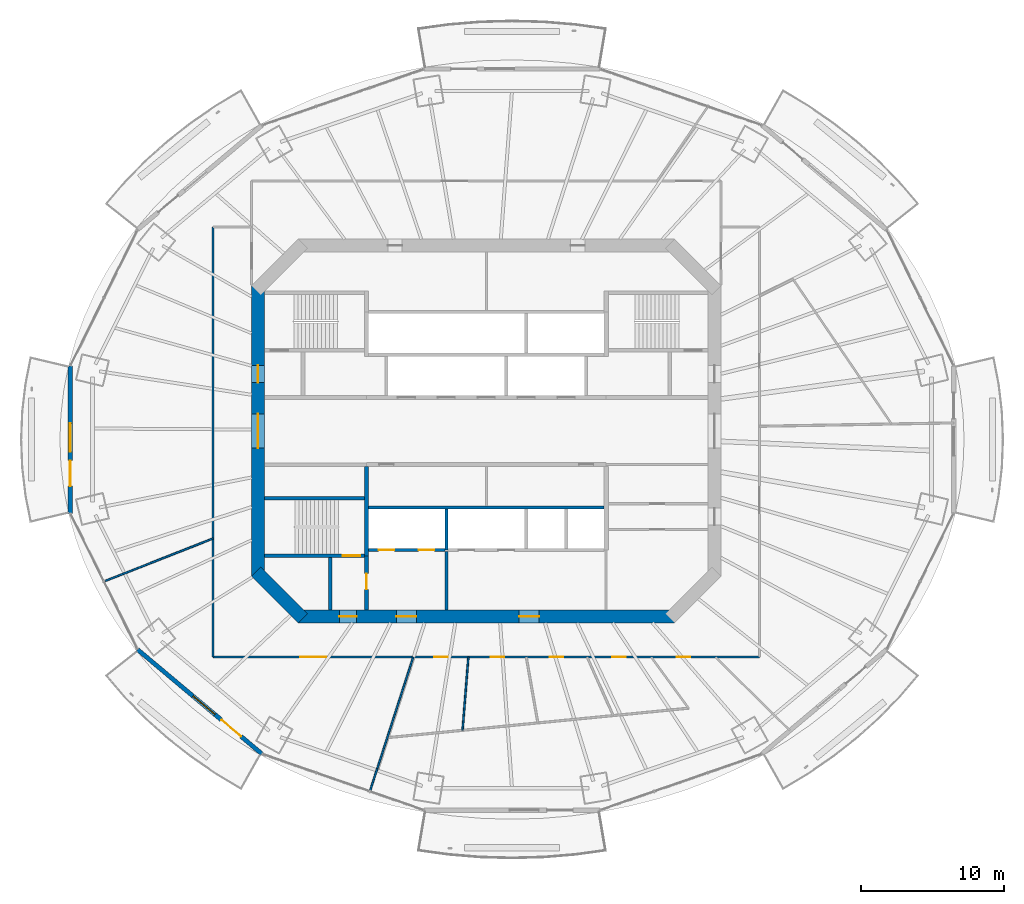
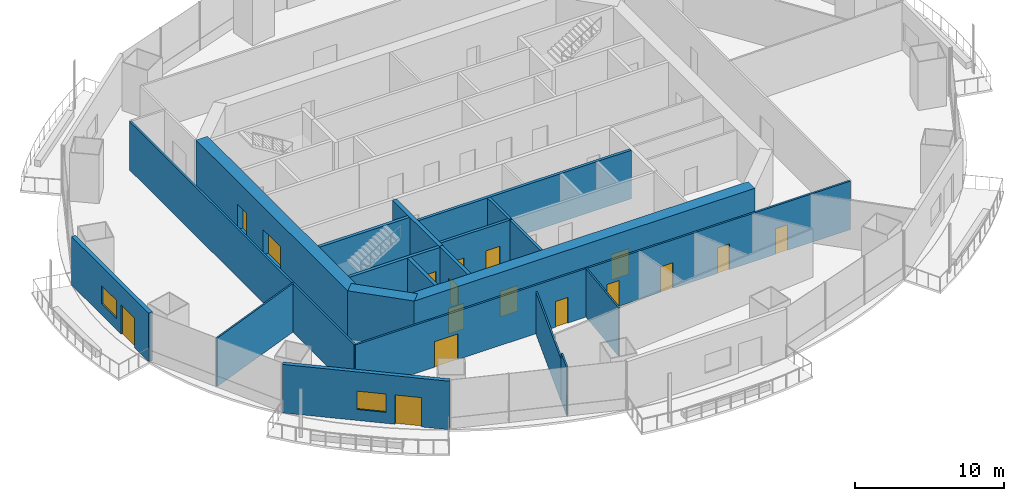
# One storey, part 12 of 21: 20 walls, 17 doors, 2 windows, 19 openings.
"""IFC4 building model written with IfcOpenShell, lengths in metres."""

import ifcopenshell
import ifcopenshell.guid

model = None  # the IFC model being written
_history = None  # IfcOwnerHistory: only IFC2X3 demands one
_inside = {}  # id of a spatial element -> (the spatial element, [elements in it])
_under = {}  # id of a project, library or spatial element -> (it, [spatial elements below it])
_declared = {}  # id of a project -> (the project, [libraries it declares])
_typed = {}  # id of a type object -> (the type object, [elements of that type])
_made_of = {}  # id of a material, layer set ... -> (it, [elements and type objects made of it])


def new_model(schema):
    """Start an empty IFC model of exactly this schema.

    Asked for "IFC4X3", IfcOpenShell would pick the latest addendum, in which some entities
    have other attributes; the version numbers below select the first issue.
    IFC2X3 requires an IfcOwnerHistory on every rooted entity: one is made here for all.
    """
    global model, _history
    if schema == "IFC4X3":
        model = ifcopenshell.file(schema_version=(4, 3, 0, 0))
    else:
        model = ifcopenshell.file(schema=schema)
    _inside.clear()
    _under.clear()
    _declared.clear()
    _typed.clear()
    _made_of.clear()
    _history = None
    if model.schema == "IFC2X3":
        org = make("IfcOrganization", Name="unknown")
        user = make(
            "IfcPersonAndOrganization",
            ThePerson=make("IfcPerson", FamilyName="unknown"),
            TheOrganization=org,
        )
        app = make(
            "IfcApplication",
            ApplicationDeveloper=org,
            Version="unknown",
            ApplicationFullName="unknown",
            ApplicationIdentifier="unknown",
        )
        _history = make(
            "IfcOwnerHistory",
            OwningUser=user,
            OwningApplication=app,
            ChangeAction="ADDED",
            CreationDate=0,
        )
    return model


def make(cls, **values):
    """One entity of the class cls with the attributes given. An attribute that is None is left unset."""
    return model.create_entity(
        cls, **{name: value for name, value in values.items() if value is not None}
    )


def rooted(cls, **values):
    """An entity with a GlobalId (a new one), such as an element, a storey or a relation."""
    return make(cls, GlobalId=ifcopenshell.guid.new(), OwnerHistory=_history, **values)


def si_unit(unit_type, name, prefix=None):
    """IfcSIUnit, for example si_unit("LENGTHUNIT", "METRE", prefix="MILLI")."""
    return make("IfcSIUnit", UnitType=unit_type, Prefix=prefix, Name=name)


def assignment(units):
    """IfcUnitAssignment: the units of a project."""
    return None if units is None else make("IfcUnitAssignment", Units=units)


def point(xyz):
    """IfcCartesianPoint."""
    return None if xyz is None else make("IfcCartesianPoint", Coordinates=xyz)


def direction(xyz):
    """IfcDirection."""
    return None if xyz is None else make("IfcDirection", DirectionRatios=xyz)


def frame(location, z_axis=None, x_axis=None):
    """IfcAxis2Placement3D, a coordinate frame: its origin and axes. An axis left out is left unset."""
    return make(
        "IfcAxis2Placement3D",
        Location=point(location),
        Axis=direction(z_axis),
        RefDirection=direction(x_axis),
    )


def frame_2d(location, x_axis=None):
    """IfcAxis2Placement2D, a coordinate frame in the plane: its origin and x axis."""
    return make(
        "IfcAxis2Placement2D", Location=point(location), RefDirection=direction(x_axis)
    )


def origin():
    """The frame at (0, 0, 0) with its axes left unset."""
    return frame((0.0, 0.0, 0.0))


def place(relative_to, where):
    """IfcLocalPlacement: puts the frame where relative to a parent placement (None: the world)."""
    return make(
        "IfcLocalPlacement", PlacementRelTo=relative_to, RelativePlacement=where
    )


def context(
    kind, dimensions, precision=None, world=None, true_north=None, identifier=None
):
    """IfcGeometricRepresentationContext, for example the 3D "Model" context."""
    return make(
        "IfcGeometricRepresentationContext",
        ContextIdentifier=identifier,
        ContextType=kind,
        CoordinateSpaceDimension=dimensions,
        Precision=precision,
        WorldCoordinateSystem=world,
        TrueNorth=true_north,
    )


def subcontext(parent, identifier, kind, view, scale=None):
    """IfcGeometricRepresentationSubContext, for example "Body" below "Model"."""
    return make(
        "IfcGeometricRepresentationSubContext",
        ContextIdentifier=identifier,
        ContextType=kind,
        ParentContext=parent,
        TargetScale=scale,
        TargetView=view,
    )


def project(units=None, contexts=None):
    """IfcProject with its units and contexts."""
    return rooted(
        "IfcProject",
        Name="project",
        RepresentationContexts=contexts,
        UnitsInContext=assignment(units),
    )


def spatial(cls, under=None, at=None, **own):
    """A site, building, storey or space (cls), placed at a placement, below another one or the project."""
    s = rooted(cls, ObjectPlacement=at, **own)
    if under is not None:
        _under.setdefault(under.id(), (under, []))[1].append(s)
    return s


def profile(cls, at=None, kind="AREA", **sizes):
    """A parametric profile (cls). Its sizes go by their IFC names, for example OverallWidth=200.0."""
    return make(cls, ProfileType=kind, Position=at, **sizes)


def rectangle(**sizes):
    """IfcRectangleProfileDef."""
    return profile("IfcRectangleProfileDef", **sizes)


def extrude(swept, where, along, depth):
    """IfcExtrudedAreaSolid: the profile swept, set in the frame where, extruded along a direction by depth."""
    return make(
        "IfcExtrudedAreaSolid",
        SweptArea=swept,
        Position=where,
        ExtrudedDirection=direction(along),
        Depth=depth,
    )


def shape(context_of_items, identifier, shape_type, items):
    """IfcShapeRepresentation: the items that make up one representation, for example the "Body"."""
    return make(
        "IfcShapeRepresentation",
        ContextOfItems=context_of_items,
        RepresentationIdentifier=identifier,
        RepresentationType=shape_type,
        Items=items,
    )


def material(Name=None, Category=None):
    """IfcMaterial."""
    return make("IfcMaterial", Name=Name, Category=Category)


def layer(
    of_material, thickness, ventilated=None, Name=None, Category=None, Priority=None
):
    """IfcMaterialLayer: one layer of a wall or slab, of a material (None: an air gap)."""
    return make(
        "IfcMaterialLayer",
        Material=of_material,
        LayerThickness=thickness,
        IsVentilated=ventilated,
        Name=Name,
        Category=Category,
        Priority=Priority,
    )


def layer_set(layers, Name=None):
    """IfcMaterialLayerSet."""
    return make("IfcMaterialLayerSet", MaterialLayers=layers, LayerSetName=Name)


def made_of(thing, what):
    """Note that an element or type object is made of a material, layer set ...; save() writes the relation."""
    if what is not None:
        _made_of.setdefault(what.id(), (what, []))[1].append(thing)
    return thing


def type_object(cls, material=None, **own):
    """A type object (cls), such as IfcWallType, which elements share."""
    return made_of(rooted(cls, **own), material)


def element(
    cls,
    number,
    at=None,
    inside=None,
    cuts=None,
    type_object=None,
    material=None,
    context=None,
    identifier="Body",
    shape_type=None,
    held_by="IfcProductDefinitionShape",
    body=None,
    shapes=None,
    **own,
):
    """One element of the class cls, such as IfcWall. Its Tag is "e" and its number.

    at: its placement. inside: the storey or other place that contains it. cuts: it is an
    opening in that element (IfcRelVoidsElement). A single representation is given by context,
    identifier, shape_type and body (its items); several are given by shapes. held_by: the class
    of the entity that holds the representations. save() writes the other relations.
    """
    e = rooted(cls, Tag="e%d" % number, ObjectPlacement=at, **own)
    if body is not None:
        shapes = [shape(context, identifier, shape_type, body)]
    if shapes is not None:
        e.Representation = make(held_by, Representations=shapes)
    if inside is not None:
        _inside.setdefault(inside.id(), (inside, []))[1].append(e)
    if cuts is not None:
        rooted(
            "IfcRelVoidsElement", RelatingBuildingElement=cuts, RelatedOpeningElement=e
        )
    if type_object is not None:
        _typed.setdefault(type_object.id(), (type_object, []))[1].append(e)
    return made_of(e, material)


def fill(opening, filler):
    """IfcRelFillsElement: the door or window that sits in an opening."""
    return rooted(
        "IfcRelFillsElement",
        RelatingOpeningElement=opening,
        RelatedBuildingElement=filler,
    )


def aggregate(whole, parts):
    """IfcRelAggregates: a whole, such as a stair, and the parts it consists of."""
    return rooted("IfcRelAggregates", RelatingObject=whole, RelatedObjects=parts)


def save(model, path):
    """Write the relations noted so far, then the file.

    IfcRelAggregates (storeys below a building ...), IfcRelContainedInSpatialStructure (elements
    in a storey), IfcRelDefinesByType, IfcRelAssociatesMaterial and IfcRelDeclares: one each for
    every whole, place, type object, material and project.
    """
    for whole, parts in _under.values():
        aggregate(whole, parts)
    for where, things in _inside.values():
        rooted(
            "IfcRelContainedInSpatialStructure",
            RelatedElements=things,
            RelatingStructure=where,
        )
    for kind, things in _typed.values():
        rooted("IfcRelDefinesByType", RelatedObjects=things, RelatingType=kind)
    for what, things in _made_of.values():
        rooted("IfcRelAssociatesMaterial", RelatedObjects=things, RelatingMaterial=what)
    for by, libraries in _declared.values():
        rooted("IfcRelDeclares", RelatingContext=by, RelatedDefinitions=libraries)
    model.write(path)


model = new_model("IFC4")

# Units and contexts
model_context = context("Model", 3, precision=1e-05, world=origin(), true_north=direction((0.0, 1.0)))
body_context = subcontext(model_context, "Body", "Model", "MODEL_VIEW")
ifc_project = project(units=[si_unit("LENGTHUNIT", "METRE"), si_unit("AREAUNIT", "SQUARE_METRE"), si_unit("VOLUMEUNIT", "CUBIC_METRE"), si_unit("PLANEANGLEUNIT", "RADIAN"), si_unit("MASSUNIT", "GRAM", prefix="KILO")], contexts=[model_context])

# Site, building, storey
site_placement = place(None, origin())
site = spatial("IfcSite", under=ifc_project, at=site_placement, CompositionType="ELEMENT")
building_placement = place(site_placement, origin())
building = spatial("IfcBuilding", under=site, at=building_placement, Name="Marenthal Gate Tower", CompositionType="ELEMENT")
storey_placement = place(building_placement, frame((0.0, 0.0, 202.550048828125)))
storey = spatial("IfcBuildingStorey", under=building, at=storey_placement, Name="L44", CompositionType="ELEMENT", Elevation=202.550048828125)

# Wall, openings, doors
ifc_material_1 = material(Name="Concrete 60 MPa", Category="concrete")
ifc_layer_1 = layer(ifc_material_1, 0.89990234375)
ifc_layer_set_1 = layer_set([ifc_layer_1], Name="Core shear wall 900")
wall_type_1 = type_object("IfcWallType", Name="Core shear wall 900", PredefinedType="SHEAR", material=ifc_layer_set_1)
wall_1_placement = place(storey_placement, frame((-16.0, 10.186279296875, -0.179931640625), z_axis=(0.0, 0.0, 1.0), x_axis=(0.0, -1.0, 0.0)))
wall_1 = element("IfcWall", 1, at=wall_1_placement, inside=storey, type_object=wall_type_1, Name="Core wall 06", PredefinedType="SHEAR", context=body_context, shape_type="SweptSolid", body=[
    extrude(rectangle(XDim=20.37255859375, YDim=0.89990234375, at=frame_2d((10.186279296875, 0.0))), origin(), (0.0, 0.0, 1.0), 4.14990234375),
])
opening_1_placement = place(wall_1_placement, frame((8.986328125, 0.0, 0.179931640625)))
opening_1 = element("IfcOpeningElement", 2, at=opening_1_placement, cuts=wall_1, Name="Opening D003.01", PredefinedType="OPENING", context=body_context, shape_type="SweptSolid", body=[
    extrude(rectangle(XDim=2.39990234375, YDim=2.10009765625, at=frame_2d((1.199951171875, 1.050048828125))), frame((0.0, 0.4599609375, 0.0), z_axis=(0.0, -1.0, 0.0), x_axis=(1.0, 0.0, 0.0)), (0.0, 0.0, 1.0), 0.919921875),
])
opening_2_placement = place(wall_1_placement, frame((5.58642578125, 0.0, 0.179931640625)))
opening_2 = element("IfcOpeningElement", 3, at=opening_2_placement, cuts=wall_1, Name="Opening D001.04", PredefinedType="OPENING", context=body_context, shape_type="SweptSolid", body=[
    extrude(rectangle(XDim=1.199951171875, YDim=2.10009765625, at=frame_2d((0.60009765625, 1.050048828125))), frame((0.0, 0.4599609375, 0.0), z_axis=(0.0, -1.0, 0.0), x_axis=(1.0, 0.0, 0.0)), (0.0, 0.0, 1.0), 0.919921875),
])
ifc_material_2 = material(Name="Steel fire door", Category="steel")
door_type_1 = type_object("IfcDoorType", Name="Double fire door FD 45 2400 x 2100", OperationType="DOUBLE_DOOR_SINGLE_SWING", PredefinedType="DOOR", material=ifc_material_2)
door_1_placement = place(opening_1_placement, origin())
door_1 = element("IfcDoor", 4, at=door_1_placement, inside=storey, type_object=door_type_1, Name="Door D003.01", OperationType="DOUBLE_DOOR_SINGLE_SWING", OverallHeight=2.10009765625, OverallWidth=2.39990234375, PredefinedType="DOOR", context=body_context, shape_type="SweptSolid", body=[
    extrude(rectangle(XDim=2.39990234375, YDim=2.10009765625, at=frame_2d((1.199951171875, 1.050048828125))), frame((0.0, 0.02490234375, 0.0), z_axis=(0.0, -1.0, 0.0), x_axis=(1.0, 0.0, 0.0)), (0.0, 0.0, 1.0), 0.050048828125),
])
fill(opening_1, door_1)
ifc_material_3 = material(Name="Steel fire door", Category="steel")
door_type_2 = type_object("IfcDoorType", Name="Fire door FD 90 1200 x 2100", OperationType="NOTDEFINED", PredefinedType="DOOR", material=ifc_material_3)
door_2_placement = place(opening_2_placement, origin())
door_2 = element("IfcDoor", 5, at=door_2_placement, inside=storey, type_object=door_type_2, Name="Door D001.04", OperationType="SINGLE_SWING_RIGHT", OverallHeight=2.10009765625, OverallWidth=1.199951171875, PredefinedType="DOOR", context=body_context, shape_type="SweptSolid", body=[
    extrude(rectangle(XDim=1.199951171875, YDim=2.10009765625, at=frame_2d((0.60009765625, 1.050048828125))), frame((0.0, 0.02490234375, 0.0), z_axis=(0.0, -1.0, 0.0), x_axis=(1.0, 0.0, 0.0)), (0.0, 0.0, 1.0), 0.050048828125),
])
fill(opening_2, door_2)

# Wall
wall_2_placement = place(storey_placement, frame((-16.1318359375, -9.8681640625, -0.179931640625), z_axis=(0.0, 0.0, 1.0), x_axis=(0.707106781187, -0.707106781187, 0.0)))
element("IfcWall", 6, at=wall_2_placement, inside=storey, type_object=wall_type_1, Name="Core wall 07", PredefinedType="SHEAR", context=body_context, shape_type="SweptSolid", body=[
    extrude(rectangle(XDim=4.615478515625, YDim=0.89990234375, at=frame_2d((2.3076171875, 0.0))), origin(), (0.0, 0.0, 1.0), 4.14990234375),
])

# Wall, openings, doors
wall_3_placement = place(storey_placement, frame((-13.186279296875, -13.0, -0.179931640625), z_axis=(0.0, 0.0, 1.0), x_axis=(1.0, 0.0, 0.0)))
wall_3 = element("IfcWall", 7, at=wall_3_placement, inside=storey, type_object=wall_type_1, Name="Core wall 08", PredefinedType="SHEAR", context=body_context, shape_type="SweptSolid", body=[
    extrude(rectangle(XDim=26.37255859375, YDim=0.89990234375, at=frame_2d((13.186279296875, 0.0))), origin(), (0.0, 0.0, 1.0), 4.14990234375),
])
opening_3_placement = place(wall_3_placement, frame((2.886474609375, 0.0, 0.179931640625)))
opening_3 = element("IfcOpeningElement", 8, at=opening_3_placement, cuts=wall_3, Name="Opening D001.06", PredefinedType="OPENING", context=body_context, shape_type="SweptSolid", body=[
    extrude(rectangle(XDim=1.199951171875, YDim=2.10009765625, at=frame_2d((0.60009765625, 1.050048828125))), frame((0.0, 0.4599609375, 0.0), z_axis=(0.0, -1.0, 0.0), x_axis=(1.0, 0.0, 0.0)), (0.0, 0.0, 1.0), 0.919921875),
])
opening_4_placement = place(wall_3_placement, frame((6.886474609375, 0.0, 0.179931640625)))
opening_4 = element("IfcOpeningElement", 9, at=opening_4_placement, cuts=wall_3, Name="Opening D004.01", PredefinedType="OPENING", context=body_context, shape_type="SweptSolid", body=[
    extrude(rectangle(XDim=1.39990234375, YDim=2.10009765625, at=frame_2d((0.699951171875, 1.050048828125))), frame((0.0, 0.4599609375, 0.0), z_axis=(0.0, -1.0, 0.0), x_axis=(1.0, 0.0, 0.0)), (0.0, 0.0, 1.0), 0.919921875),
])
opening_5_placement = place(wall_3_placement, frame((15.486328125, 0.0, 0.179931640625)))
opening_5 = element("IfcOpeningElement", 10, at=opening_5_placement, cuts=wall_3, Name="Opening D004.02", PredefinedType="OPENING", context=body_context, shape_type="SweptSolid", body=[
    extrude(rectangle(XDim=1.39990234375, YDim=2.10009765625, at=frame_2d((0.699951171875, 1.050048828125))), frame((0.0, 0.4599609375, 0.0), z_axis=(0.0, -1.0, 0.0), x_axis=(1.0, 0.0, 0.0)), (0.0, 0.0, 1.0), 0.919921875),
])
ifc_material_4 = material(Name="Steel fire door", Category="steel")
door_type_3 = type_object("IfcDoorType", Name="Fire door FD 45 1400 x 2100", OperationType="NOTDEFINED", PredefinedType="DOOR", material=ifc_material_4)
door_3_placement = place(opening_4_placement, origin())
door_3 = element("IfcDoor", 11, at=door_3_placement, inside=storey, type_object=door_type_3, Name="Door D004.01", OperationType="SINGLE_SWING_RIGHT", OverallHeight=2.10009765625, OverallWidth=1.39990234375, PredefinedType="DOOR", context=body_context, shape_type="SweptSolid", body=[
    extrude(rectangle(XDim=1.39990234375, YDim=2.10009765625, at=frame_2d((0.699951171875, 1.050048828125))), frame((0.0, 0.02490234375, 0.0), z_axis=(0.0, -1.0, 0.0), x_axis=(1.0, 0.0, 0.0)), (0.0, 0.0, 1.0), 0.050048828125),
])
fill(opening_4, door_3)
door_4_placement = place(opening_5_placement, origin())
door_4 = element("IfcDoor", 12, at=door_4_placement, inside=storey, type_object=door_type_3, Name="Door D004.02", OperationType="SINGLE_SWING_RIGHT", OverallHeight=2.10009765625, OverallWidth=1.39990234375, PredefinedType="DOOR", context=body_context, shape_type="SweptSolid", body=[
    extrude(rectangle(XDim=1.39990234375, YDim=2.10009765625, at=frame_2d((0.699951171875, 1.050048828125))), frame((0.0, 0.02490234375, 0.0), z_axis=(0.0, -1.0, 0.0), x_axis=(1.0, 0.0, 0.0)), (0.0, 0.0, 1.0), 0.050048828125),
])
fill(opening_5, door_4)
door_5_placement = place(opening_3_placement, origin())
door_5 = element("IfcDoor", 13, at=door_5_placement, inside=storey, type_object=door_type_2, Name="Door D001.06", OperationType="SINGLE_SWING_RIGHT", OverallHeight=2.10009765625, OverallWidth=1.199951171875, PredefinedType="DOOR", context=body_context, shape_type="SweptSolid", body=[
    extrude(rectangle(XDim=1.199951171875, YDim=2.10009765625, at=frame_2d((0.60009765625, 1.050048828125))), frame((0.0, 0.02490234375, 0.0), z_axis=(0.0, -1.0, 0.0), x_axis=(1.0, 0.0, 0.0)), (0.0, 0.0, 1.0), 0.050048828125),
])
fill(opening_3, door_5)

# Walls
ifc_material_5 = material(Name="Gypsum board on steel studs", Category="steel")
ifc_layer_2 = layer(ifc_material_5, 0.199951171875)
ifc_layer_set_2 = layer_set([ifc_layer_2], Name="Fire lobby wall 200")
wall_type_2 = type_object("IfcWallType", Name="Fire lobby wall 200", PredefinedType="PARTITIONING", material=ifc_layer_set_2)
wall_4_placement = place(storey_placement, frame((-2.800048828125, -12.550048828125, 0.0), z_axis=(0.0, 0.0, 1.0), x_axis=(0.0, 1.0, 0.0)))
element("IfcWall", 14, at=wall_4_placement, inside=storey, type_object=wall_type_2, Name="Fire wall 35", PredefinedType="PARTITIONING", context=body_context, shape_type="SweptSolid", body=[
    extrude(rectangle(XDim=4.090087890625, YDim=0.199951171875, at=frame_2d((2.044921875, 0.0))), origin(), (0.0, 0.0, 1.0), 3.969970703125),
])
ifc_material_6 = material(Name="Concrete 50 MPa", Category="concrete")
ifc_layer_3 = layer(ifc_material_6, 0.300048828125)
ifc_layer_set_3 = layer_set([ifc_layer_3], Name="Hoistway shear wall 300")
wall_type_3 = type_object("IfcWallType", Name="Hoistway shear wall 300", PredefinedType="SHEAR", material=ifc_layer_set_3)
wall_5_placement = place(storey_placement, frame((-8.39990234375, -8.75, -0.179931640625), z_axis=(0.0, 0.0, 1.0), x_axis=(0.0, 1.0, 0.0)))
element("IfcWall", 15, at=wall_5_placement, inside=storey, type_object=wall_type_3, Name="Hoistway wall 31", PredefinedType="SHEAR", context=body_context, shape_type="SweptSolid", body=[
    extrude(rectangle(XDim=6.25, YDim=0.300048828125, at=frame_2d((3.125, 0.0))), origin(), (0.0, 0.0, 1.0), 4.14990234375),
])

# Wall, openings, doors
ifc_material_7 = material(Name="Concrete 40 MPa", Category="concrete")
ifc_layer_4 = layer(ifc_material_7, 0.219970703125)
ifc_layer_set_4 = layer_set([ifc_layer_4], Name="Hoistway wall 220")
wall_type_4 = type_object("IfcWallType", Name="Hoistway wall 220", PredefinedType="STANDARD", material=ifc_layer_set_4)
wall_6_placement = place(storey_placement, frame((-8.25, -8.35009765625, 0.0), z_axis=(0.0, 0.0, 1.0), x_axis=(1.0, 0.0, 0.0)))
wall_6 = element("IfcWall", 16, at=wall_6_placement, inside=storey, type_object=wall_type_4, Name="Hoistway wall 10", PredefinedType="STANDARD", context=body_context, shape_type="SweptSolid", body=[
    extrude(rectangle(XDim=5.340087890625, YDim=0.219970703125, at=frame_2d((2.669921875, 0.0))), origin(), (0.0, 0.0, 1.0), 3.969970703125),
])
opening_6_placement = place(wall_6_placement, frame((0.699951171875, 0.0, 0.0)))
opening_6 = element("IfcOpeningElement", 17, at=opening_6_placement, cuts=wall_6, Name="Opening LD-LF1", PredefinedType="OPENING", context=body_context, shape_type="SweptSolid", body=[
    extrude(rectangle(XDim=1.10009765625, YDim=2.10009765625, at=frame_2d((0.550048828125, 1.050048828125))), frame((0.0, 0.1201171875, 0.0), z_axis=(0.0, -1.0, 0.0), x_axis=(1.0, 0.0, 0.0)), (0.0, 0.0, 1.0), 0.239990234375),
])
opening_7_placement = place(wall_6_placement, frame((3.5, 0.0, 0.0)))
opening_7 = element("IfcOpeningElement", 18, at=opening_7_placement, cuts=wall_6, Name="Opening LD-LF2", PredefinedType="OPENING", context=body_context, shape_type="SweptSolid", body=[
    extrude(rectangle(XDim=1.10009765625, YDim=2.10009765625, at=frame_2d((0.550048828125, 1.050048828125))), frame((0.0, 0.1201171875, 0.0), z_axis=(0.0, -1.0, 0.0), x_axis=(1.0, 0.0, 0.0)), (0.0, 0.0, 1.0), 0.239990234375),
])
ifc_material_8 = material(Name="Stainless steel sliding door", Category="steel")
door_type_4 = type_object("IfcDoorType", Name="Lift landing door FD 90 1100 x 2100", OperationType="DOUBLE_DOOR_SLIDING", PredefinedType="DOOR", material=ifc_material_8)
door_6_placement = place(opening_6_placement, origin())
door_6 = element("IfcDoor", 19, at=door_6_placement, inside=storey, type_object=door_type_4, Name="Lift landing door LF1", OperationType="DOUBLE_DOOR_SLIDING", OverallHeight=2.10009765625, OverallWidth=1.10009765625, PredefinedType="DOOR", context=body_context, shape_type="SweptSolid", body=[
    extrude(rectangle(XDim=1.10009765625, YDim=2.10009765625, at=frame_2d((0.550048828125, 1.050048828125))), frame((0.0, 0.02490234375, 0.0), z_axis=(0.0, -1.0, 0.0), x_axis=(1.0, 0.0, 0.0)), (0.0, 0.0, 1.0), 0.050048828125),
])
fill(opening_6, door_6)
door_7_placement = place(opening_7_placement, origin())
door_7 = element("IfcDoor", 20, at=door_7_placement, inside=storey, type_object=door_type_4, Name="Lift landing door LF2", OperationType="DOUBLE_DOOR_SLIDING", OverallHeight=2.10009765625, OverallWidth=1.10009765625, PredefinedType="DOOR", context=body_context, shape_type="SweptSolid", body=[
    extrude(rectangle(XDim=1.10009765625, YDim=2.10009765625, at=frame_2d((0.550048828125, 1.050048828125))), frame((0.0, 0.02490234375, 0.0), z_axis=(0.0, -1.0, 0.0), x_axis=(1.0, 0.0, 0.0)), (0.0, 0.0, 1.0), 0.050048828125),
])
fill(opening_7, door_7)

# Walls
wall_7_placement = place(storey_placement, frame((-8.25, -5.35009765625, 0.0), z_axis=(0.0, 0.0, 1.0), x_axis=(1.0, 0.0, 0.0)))
element("IfcWall", 21, at=wall_7_placement, inside=storey, type_object=wall_type_4, Name="Hoistway wall 13", PredefinedType="STANDARD", context=body_context, shape_type="SweptSolid", body=[
    extrude(rectangle(XDim=16.5, YDim=0.219970703125, at=frame_2d((8.25, 0.0))), origin(), (0.0, 0.0, 1.0), 3.969970703125),
])
wall_8_placement = place(storey_placement, frame((-2.800048828125, -8.35009765625, 0.0), z_axis=(0.0, 0.0, 1.0), x_axis=(0.0, 1.0, 0.0)))
element("IfcWall", 22, at=wall_8_placement, inside=storey, type_object=wall_type_4, Name="Hoistway wall 36", PredefinedType="STANDARD", context=body_context, shape_type="SweptSolid", body=[
    extrude(rectangle(XDim=2.89013671875, YDim=0.219970703125, at=frame_2d((1.445068359375, 0.0))), origin(), (0.0, 0.0, 1.0), 3.969970703125),
])
ifc_material_9 = material(Name="Gypsum board on steel studs", Category="steel")
ifc_layer_5 = layer(ifc_material_9, 0.1201171875)
ifc_layer_set_5 = layer_set([ifc_layer_5], Name="Partition 120")
wall_type_5 = type_object("IfcWallType", Name="Partition 120", PredefinedType="PARTITIONING", material=ifc_layer_set_5)
wall_9_placement = place(storey_placement, frame((-19.14990234375, -7.5322265625, 0.0), z_axis=(0.0, 0.0, 1.0), x_axis=(-0.930605381834, -0.366024074757, 0.0)))
element("IfcWall", 23, at=wall_9_placement, inside=storey, type_object=wall_type_5, Name="Partition wall 50", PredefinedType="PARTITIONING", context=body_context, shape_type="SweptSolid", body=[
    extrude(rectangle(XDim=8.2294921875, YDim=0.1201171875, at=frame_2d((4.11474609375, 0.0))), origin(), (0.0, 0.0, 1.0), 3.969970703125),
])
wall_10_placement = place(storey_placement, frame((-5.12109375, -15.85009765625, 0.0), z_axis=(0.0, 0.0, 1.0), x_axis=(-0.30745280962, -0.951563329399, 0.0)))
element("IfcWall", 24, at=wall_10_placement, inside=storey, type_object=wall_type_5, Name="Partition wall 55", PredefinedType="PARTITIONING", context=body_context, shape_type="SweptSolid", body=[
    extrude(rectangle(XDim=8.225830078125, YDim=0.1201171875, at=frame_2d((4.11279296875, 0.0))), origin(), (0.0, 0.0, 1.0), 3.433837890625),
])
wall_11_placement = place(storey_placement, frame((-7.650146484375, -23.677490234375, 0.0), z_axis=(0.0, 0.0, 1.0), x_axis=(-0.307383561991, -0.951585700722, 0.0)))
element("IfcWall", 25, at=wall_11_placement, inside=storey, type_object=wall_type_5, Name="Partition wall 69", PredefinedType="PARTITIONING", context=body_context, shape_type="SweptSolid", body=[
    extrude(rectangle(XDim=1.667236328125, YDim=0.1201171875, at=frame_2d((0.83349609375, 0.0))), origin(), (0.0, 0.0, 1.0), 3.969970703125),
])
wall_12_placement = place(storey_placement, frame((-1.66552734375, -20.9814453125, 0.0), z_axis=(0.0, 0.0, 1.0), x_axis=(0.07911181221, 0.996865748819, 0.0)))
element("IfcWall", 26, at=wall_12_placement, inside=storey, type_object=wall_type_5, Name="Partition wall 56", PredefinedType="PARTITIONING", context=body_context, shape_type="SweptSolid", body=[
    extrude(rectangle(XDim=5.1474609375, YDim=0.1201171875, at=frame_2d((2.57373046875, 0.0))), origin(), (0.0, 0.0, 1.0), 3.969970703125),
])
ifc_material_10 = material(Name="Gypsum board on steel studs", Category="steel")
ifc_layer_6 = layer(ifc_material_10, 0.14990234375)
ifc_layer_set_6 = layer_set([ifc_layer_6], Name="Partition 150")
wall_type_6 = type_object("IfcWallType", Name="Partition 150", PredefinedType="PARTITIONING", material=ifc_layer_set_6)
wall_13_placement = place(storey_placement, frame((-19.14990234375, -15.85009765625, 0.0), z_axis=(0.0, 0.0, 1.0), x_axis=(0.0, 1.0, 0.0)))
element("IfcWall", 27, at=wall_13_placement, inside=storey, type_object=wall_type_6, Name="Partition wall 49", PredefinedType="PARTITIONING", context=body_context, shape_type="SweptSolid", body=[
    extrude(rectangle(XDim=30.1513671875, YDim=0.14990234375, at=frame_2d((15.07568359375, 0.0))), origin(), (0.0, 0.0, 1.0), 3.969970703125),
])

# Wall, openings, doors
wall_14_placement = place(storey_placement, frame((19.14990234375, -15.85009765625, 0.0), z_axis=(0.0, 0.0, 1.0), x_axis=(-1.0, 0.0, 0.0)))
wall_14 = element("IfcWall", 28, at=wall_14_placement, inside=storey, type_object=wall_type_6, Name="Partition wall 64", PredefinedType="PARTITIONING", context=body_context, shape_type="SweptSolid", body=[
    extrude(rectangle(XDim=38.2998046875, YDim=0.14990234375, at=frame_2d((19.14990234375, 0.0))), origin(), (0.0, 0.0, 1.0), 3.969970703125),
])
opening_8_placement = place(wall_14_placement, frame((30.385986328125, 0.0, 0.0)))
opening_8 = element("IfcOpeningElement", 29, at=opening_8_placement, cuts=wall_14, Name="Opening D014.03", PredefinedType="OPENING", context=body_context, shape_type="SweptSolid", body=[
    extrude(rectangle(XDim=1.800048828125, YDim=2.10009765625, at=frame_2d((0.89990234375, 1.050048828125))), frame((0.0, 0.0849609375, 0.0), z_axis=(0.0, -1.0, 0.0), x_axis=(1.0, 0.0, 0.0)), (0.0, 0.0, 1.0), 0.169921875),
])
opening_9_placement = place(wall_14_placement, frame((21.864013671875, 0.0, 0.0)))
opening_9 = element("IfcOpeningElement", 30, at=opening_9_placement, cuts=wall_14, Name="Opening D016.02", PredefinedType="OPENING", context=body_context, shape_type="SweptSolid", body=[
    extrude(rectangle(XDim=0.949951171875, YDim=2.10009765625, at=frame_2d((0.47509765625, 1.050048828125))), frame((0.0, 0.0849609375, 0.0), z_axis=(0.0, -1.0, 0.0), x_axis=(1.0, 0.0, 0.0)), (0.0, 0.0, 1.0), 0.169921875),
])
opening_10_placement = place(wall_14_placement, frame((17.904052734375, 0.0, 0.0)))
opening_10 = element("IfcOpeningElement", 31, at=opening_10_placement, cuts=wall_14, Name="Opening D016.03", PredefinedType="OPENING", context=body_context, shape_type="SweptSolid", body=[
    extrude(rectangle(XDim=0.949951171875, YDim=2.10009765625, at=frame_2d((0.47509765625, 1.050048828125))), frame((0.0, 0.0849609375, 0.0), z_axis=(0.0, -1.0, 0.0), x_axis=(1.0, 0.0, 0.0)), (0.0, 0.0, 1.0), 0.169921875),
])
opening_11_placement = place(wall_14_placement, frame((13.740966796875, 0.0, 0.0)))
opening_11 = element("IfcOpeningElement", 32, at=opening_11_placement, cuts=wall_14, Name="Opening D016.04", PredefinedType="OPENING", context=body_context, shape_type="SweptSolid", body=[
    extrude(rectangle(XDim=0.949951171875, YDim=2.10009765625, at=frame_2d((0.47509765625, 1.050048828125))), frame((0.0, 0.0849609375, 0.0), z_axis=(0.0, -1.0, 0.0), x_axis=(1.0, 0.0, 0.0)), (0.0, 0.0, 1.0), 0.169921875),
])
opening_12_placement = place(wall_14_placement, frame((9.35888671875, 0.0, 0.0)))
opening_12 = element("IfcOpeningElement", 33, at=opening_12_placement, cuts=wall_14, Name="Opening D016.05", PredefinedType="OPENING", context=body_context, shape_type="SweptSolid", body=[
    extrude(rectangle(XDim=0.949951171875, YDim=2.10009765625, at=frame_2d((0.47509765625, 1.050048828125))), frame((0.0, 0.0849609375, 0.0), z_axis=(0.0, -1.0, 0.0), x_axis=(1.0, 0.0, 0.0)), (0.0, 0.0, 1.0), 0.169921875),
])
opening_13_placement = place(wall_14_placement, frame((4.861083984375, 0.0, 0.0)))
opening_13 = element("IfcOpeningElement", 34, at=opening_13_placement, cuts=wall_14, Name="Opening D016.06", PredefinedType="OPENING", context=body_context, shape_type="SweptSolid", body=[
    extrude(rectangle(XDim=0.949951171875, YDim=2.10009765625, at=frame_2d((0.47509765625, 1.050048828125))), frame((0.0, 0.0849609375, 0.0), z_axis=(0.0, -1.0, 0.0), x_axis=(1.0, 0.0, 0.0)), (0.0, 0.0, 1.0), 0.169921875),
])
ifc_material_11 = material(Name="Timber door", Category="wood")
door_type_5 = type_object("IfcDoorType", Name="Door 950 x 2100", OperationType="NOTDEFINED", PredefinedType="DOOR", material=ifc_material_11)
door_8_placement = place(opening_9_placement, origin())
door_8 = element("IfcDoor", 35, at=door_8_placement, inside=storey, type_object=door_type_5, Name="Door D016.02", OperationType="SINGLE_SWING_RIGHT", OverallHeight=2.10009765625, OverallWidth=0.949951171875, PredefinedType="DOOR", context=body_context, shape_type="SweptSolid", body=[
    extrude(rectangle(XDim=0.949951171875, YDim=2.10009765625, at=frame_2d((0.47509765625, 1.050048828125))), frame((0.0, 0.02490234375, 0.0), z_axis=(0.0, -1.0, 0.0), x_axis=(1.0, 0.0, 0.0)), (0.0, 0.0, 1.0), 0.050048828125),
])
fill(opening_9, door_8)
door_9_placement = place(opening_10_placement, origin())
door_9 = element("IfcDoor", 36, at=door_9_placement, inside=storey, type_object=door_type_5, Name="Door D016.03", OperationType="SINGLE_SWING_RIGHT", OverallHeight=2.10009765625, OverallWidth=0.949951171875, PredefinedType="DOOR", context=body_context, shape_type="SweptSolid", body=[
    extrude(rectangle(XDim=0.949951171875, YDim=2.10009765625, at=frame_2d((0.47509765625, 1.050048828125))), frame((0.0, 0.02490234375, 0.0), z_axis=(0.0, -1.0, 0.0), x_axis=(1.0, 0.0, 0.0)), (0.0, 0.0, 1.0), 0.050048828125),
])
fill(opening_10, door_9)
door_10_placement = place(opening_11_placement, origin())
door_10 = element("IfcDoor", 37, at=door_10_placement, inside=storey, type_object=door_type_5, Name="Door D016.04", OperationType="SINGLE_SWING_RIGHT", OverallHeight=2.10009765625, OverallWidth=0.949951171875, PredefinedType="DOOR", context=body_context, shape_type="SweptSolid", body=[
    extrude(rectangle(XDim=0.949951171875, YDim=2.10009765625, at=frame_2d((0.47509765625, 1.050048828125))), frame((0.0, 0.02490234375, 0.0), z_axis=(0.0, -1.0, 0.0), x_axis=(1.0, 0.0, 0.0)), (0.0, 0.0, 1.0), 0.050048828125),
])
fill(opening_11, door_10)
door_11_placement = place(opening_12_placement, origin())
door_11 = element("IfcDoor", 38, at=door_11_placement, inside=storey, type_object=door_type_5, Name="Door D016.05", OperationType="SINGLE_SWING_RIGHT", OverallHeight=2.10009765625, OverallWidth=0.949951171875, PredefinedType="DOOR", context=body_context, shape_type="SweptSolid", body=[
    extrude(rectangle(XDim=0.949951171875, YDim=2.10009765625, at=frame_2d((0.47509765625, 1.050048828125))), frame((0.0, 0.02490234375, 0.0), z_axis=(0.0, -1.0, 0.0), x_axis=(1.0, 0.0, 0.0)), (0.0, 0.0, 1.0), 0.050048828125),
])
fill(opening_12, door_11)
door_12_placement = place(opening_13_placement, origin())
door_12 = element("IfcDoor", 39, at=door_12_placement, inside=storey, type_object=door_type_5, Name="Door D016.06", OperationType="SINGLE_SWING_RIGHT", OverallHeight=2.10009765625, OverallWidth=0.949951171875, PredefinedType="DOOR", context=body_context, shape_type="SweptSolid", body=[
    extrude(rectangle(XDim=0.949951171875, YDim=2.10009765625, at=frame_2d((0.47509765625, 1.050048828125))), frame((0.0, 0.02490234375, 0.0), z_axis=(0.0, -1.0, 0.0), x_axis=(1.0, 0.0, 0.0)), (0.0, 0.0, 1.0), 0.050048828125),
])
fill(opening_13, door_12)
ifc_material_12 = material(Name="Timber door", Category="wood")
door_type_6 = type_object("IfcDoorType", Name="Double door 1800 x 2100", OperationType="DOUBLE_DOOR_SINGLE_SWING", PredefinedType="DOOR", material=ifc_material_12)
door_13_placement = place(opening_8_placement, origin())
door_13 = element("IfcDoor", 40, at=door_13_placement, inside=storey, type_object=door_type_6, Name="Door D014.03", OperationType="DOUBLE_DOOR_SINGLE_SWING", OverallHeight=2.10009765625, OverallWidth=1.800048828125, PredefinedType="DOOR", context=body_context, shape_type="SweptSolid", body=[
    extrude(rectangle(XDim=1.800048828125, YDim=2.10009765625, at=frame_2d((0.89990234375, 1.050048828125))), frame((0.0, 0.02490234375, 0.0), z_axis=(0.0, -1.0, 0.0), x_axis=(1.0, 0.0, 0.0)), (0.0, 0.0, 1.0), 0.050048828125),
])
fill(opening_8, door_13)

# Wall
ifc_material_13 = material(Name="Concrete 40 MPa", Category="concrete")
ifc_layer_7 = layer(ifc_material_13, 0.25)
ifc_layer_set_7 = layer_set([ifc_layer_7], Name="Stair enclosure wall 250")
wall_type_7 = type_object("IfcWallType", Name="Stair enclosure wall 250", PredefinedType="STANDARD", material=ifc_layer_set_7)
wall_15_placement = place(storey_placement, frame((-10.949951171875, -12.550048828125, 0.0), z_axis=(0.0, 0.0, 1.0), x_axis=(0.0, 1.0, 0.0)))
element("IfcWall", 41, at=wall_15_placement, inside=storey, type_object=wall_type_7, Name="Stair wall 29", PredefinedType="STANDARD", context=body_context, shape_type="SweptSolid", body=[
    extrude(rectangle(XDim=3.675048828125, YDim=0.25, at=frame_2d((1.83740234375, 0.0))), origin(), (0.0, 0.0, 1.0), 3.969970703125),
])

# Wall, opening, door
wall_16_placement = place(storey_placement, frame((-8.39990234375, -12.550048828125, 0.0), z_axis=(0.0, 0.0, 1.0), x_axis=(0.0, 1.0, 0.0)))
wall_16 = element("IfcWall", 42, at=wall_16_placement, inside=storey, type_object=wall_type_7, Name="Stair wall 30", PredefinedType="STANDARD", context=body_context, shape_type="SweptSolid", body=[
    extrude(rectangle(XDim=3.800048828125, YDim=0.25, at=frame_2d((1.89990234375, 0.0))), origin(), (0.0, 0.0, 1.0), 3.969970703125),
])
opening_14_placement = place(wall_16_placement, frame((1.449951171875, 0.0, 0.0)))
opening_14 = element("IfcOpeningElement", 43, at=opening_14_placement, cuts=wall_16, Name="Opening D002.01", PredefinedType="OPENING", context=body_context, shape_type="SweptSolid", body=[
    extrude(rectangle(XDim=1.10009765625, YDim=2.10009765625, at=frame_2d((0.550048828125, 1.050048828125))), frame((0.0, 0.135009765625, 0.0), z_axis=(0.0, -1.0, 0.0), x_axis=(1.0, 0.0, 0.0)), (0.0, 0.0, 1.0), 0.27001953125),
])
ifc_material_14 = material(Name="Steel fire door", Category="steel")
door_type_7 = type_object("IfcDoorType", Name="Fire door FD 90 1100 x 2100", OperationType="NOTDEFINED", PredefinedType="DOOR", material=ifc_material_14)
door_14_placement = place(opening_14_placement, origin())
door_14 = element("IfcDoor", 44, at=door_14_placement, inside=storey, type_object=door_type_7, Name="Door D002.01", OperationType="SINGLE_SWING_RIGHT", OverallHeight=2.10009765625, OverallWidth=1.10009765625, PredefinedType="DOOR", context=body_context, shape_type="SweptSolid", body=[
    extrude(rectangle(XDim=1.10009765625, YDim=2.10009765625, at=frame_2d((0.550048828125, 1.050048828125))), frame((0.0, 0.02490234375, 0.0), z_axis=(0.0, -1.0, 0.0), x_axis=(1.0, 0.0, 0.0)), (0.0, 0.0, 1.0), 0.050048828125),
])
fill(opening_14, door_14)

ifc_material_15 = material(Name="Concrete 50 MPa", Category="concrete")
ifc_layer_8 = layer(ifc_material_15, 0.25)
ifc_layer_set_8 = layer_set([ifc_layer_8], Name="Stair shear wall 250")
wall_type_8 = type_object("IfcWallType", Name="Stair shear wall 250", PredefinedType="SHEAR", material=ifc_layer_set_8)
wall_17_placement = place(storey_placement, frame((-15.550048828125, -8.75, -0.179931640625), z_axis=(0.0, 0.0, 1.0), x_axis=(1.0, 0.0, 0.0)))
wall_17 = element("IfcWall", 45, at=wall_17_placement, inside=storey, type_object=wall_type_8, Name="Stair wall 09", PredefinedType="SHEAR", context=body_context, shape_type="SweptSolid", body=[
    extrude(rectangle(XDim=7.0, YDim=0.25, at=frame_2d((3.5, 0.0))), origin(), (0.0, 0.0, 1.0), 4.14990234375),
])
opening_15_placement = place(wall_17_placement, frame((5.5, 0.0, 0.179931640625)))
opening_15 = element("IfcOpeningElement", 46, at=opening_15_placement, cuts=wall_17, Name="Opening D001.03", PredefinedType="OPENING", context=body_context, shape_type="SweptSolid", body=[
    extrude(rectangle(XDim=1.199951171875, YDim=2.10009765625, at=frame_2d((0.60009765625, 1.050048828125))), frame((0.0, 0.135009765625, 0.0), z_axis=(0.0, -1.0, 0.0), x_axis=(1.0, 0.0, 0.0)), (0.0, 0.0, 1.0), 0.27001953125),
])
door_15_placement = place(opening_15_placement, origin())
door_15 = element("IfcDoor", 47, at=door_15_placement, inside=storey, type_object=door_type_2, Name="Door D001.03", OperationType="SINGLE_SWING_RIGHT", OverallHeight=2.10009765625, OverallWidth=1.199951171875, PredefinedType="DOOR", context=body_context, shape_type="SweptSolid", body=[
    extrude(rectangle(XDim=1.199951171875, YDim=2.10009765625, at=frame_2d((0.60009765625, 1.050048828125))), frame((0.0, 0.02490234375, 0.0), z_axis=(0.0, -1.0, 0.0), x_axis=(1.0, 0.0, 0.0)), (0.0, 0.0, 1.0), 0.050048828125),
])
fill(opening_15, door_15)

# Wall
wall_18_placement = place(storey_placement, frame((-15.550048828125, -4.699951171875, -0.179931640625), z_axis=(0.0, 0.0, 1.0), x_axis=(1.0, 0.0, 0.0)))
element("IfcWall", 48, at=wall_18_placement, inside=storey, type_object=wall_type_8, Name="Stair wall 15", PredefinedType="SHEAR", context=body_context, shape_type="SweptSolid", body=[
    extrude(rectangle(XDim=7.0, YDim=0.25, at=frame_2d((3.5, 0.0))), origin(), (0.0, 0.0, 1.0), 4.14990234375),
])

# Wall, openings, door, window
ifc_material_16 = material(Name="Terracotta cladding on insulated concrete-block backing", Category="masonry")
ifc_layer_9 = layer(ifc_material_16, 0.300048828125)
ifc_layer_set_9 = layer_set([ifc_layer_9], Name="Terracotta facade wall 300")
wall_type_9 = type_object("IfcWallType", Name="Terracotta facade wall 300", PredefinedType="SOLIDWALL", material=ifc_layer_set_9)
wall_19_placement = place(storey_placement, frame((-29.165283203125, 4.56884765625, 0.0), z_axis=(0.0, 0.0, 1.0), x_axis=(0.0, -1.0, 0.0)))
wall_19 = element("IfcWall", 49, at=wall_19_placement, inside=storey, type_object=wall_type_9, Name="Terracotta facade wall L44 bay 8", PredefinedType="SOLIDWALL", context=body_context, shape_type="SweptSolid", body=[
    extrude(rectangle(XDim=10.337646484375, YDim=0.300048828125, at=frame_2d((5.1689453125, 0.0))), origin(), (0.0, 0.0, 1.0), 3.969970703125),
])
opening_16_placement = place(wall_19_placement, frame((6.6376953125, 0.0, 0.0)))
opening_16 = element("IfcOpeningElement", 50, at=opening_16_placement, cuts=wall_19, Name="Opening BD-L44-08", PredefinedType="OPENING", context=body_context, shape_type="SweptSolid", body=[
    extrude(rectangle(XDim=1.800048828125, YDim=2.39990234375, at=frame_2d((0.89990234375, 1.199951171875))), frame((0.0, 0.16015625, 0.0), z_axis=(0.0, -1.0, 0.0), x_axis=(1.0, 0.0, 0.0)), (0.0, 0.0, 1.0), 0.320068359375),
])
opening_17_placement = place(wall_19_placement, frame((4.037841796875, 0.0, 0.89990234375)))
opening_17 = element("IfcOpeningElement", 51, at=opening_17_placement, cuts=wall_19, Name="Opening WN2-L44-08", PredefinedType="OPENING", context=body_context, shape_type="SweptSolid", body=[
    extrude(rectangle(XDim=2.0, YDim=1.5, at=frame_2d((1.0, 0.75))), frame((0.0, 0.16015625, 0.0), z_axis=(0.0, -1.0, 0.0), x_axis=(1.0, 0.0, 0.0)), (0.0, 0.0, 1.0), 0.320068359375),
])
ifc_material_17 = material(Name="Aluminium and glass", Category="aluminium")
door_type_8 = type_object("IfcDoorType", Name="Balcony door 1800x2400", OperationType="DOUBLE_DOOR_SINGLE_SWING", PredefinedType="DOOR", material=ifc_material_17)
door_16_placement = place(opening_16_placement, origin())
door_16 = element("IfcDoor", 52, at=door_16_placement, inside=storey, type_object=door_type_8, Name="Balcony door L44 bay 8", OperationType="SINGLE_SWING_LEFT", OverallHeight=2.39990234375, OverallWidth=1.800048828125, PredefinedType="DOOR", context=body_context, shape_type="SweptSolid", body=[
    extrude(rectangle(XDim=1.800048828125, YDim=2.39990234375, at=frame_2d((0.89990234375, 1.199951171875))), frame((0.0, 0.02490234375, 0.0), z_axis=(0.0, -1.0, 0.0), x_axis=(1.0, 0.0, 0.0)), (0.0, 0.0, 1.0), 0.050048828125),
])
fill(opening_16, door_16)
ifc_material_18 = material(Name="Aluminium and glass", Category="aluminium")
window_type = type_object("IfcWindowType", Name="Window 2000x1500", PartitioningType="DOUBLE_PANEL_VERTICAL", PredefinedType="WINDOW", material=ifc_material_18)
window_1_placement = place(opening_17_placement, origin())
window_1 = element("IfcWindow", 53, at=window_1_placement, inside=storey, type_object=window_type, Name="Window L44 bay 8", OverallHeight=1.5, OverallWidth=2.0, PartitioningType="SINGLE_PANEL", PredefinedType="WINDOW", context=body_context, shape_type="SweptSolid", body=[
    extrude(rectangle(XDim=2.0, YDim=1.5, at=frame_2d((1.0, 0.75))), frame((0.0, 0.030029296875, 0.0), z_axis=(0.0, -1.0, 0.0), x_axis=(1.0, 0.0, 0.0)), (0.0, 0.0, 1.0), 0.06005859375),
])
fill(opening_17, window_1)

wall_20_placement = place(storey_placement, frame((-24.451171875, -15.31982421875, 0.0), z_axis=(0.0, 0.0, 1.0), x_axis=(0.766004647457, -0.642835033329, 0.0)))
wall_20 = element("IfcWall", 54, at=wall_20_placement, inside=storey, type_object=wall_type_9, Name="Terracotta facade wall L44 bay 10", PredefinedType="SOLIDWALL", context=body_context, shape_type="SweptSolid", body=[
    extrude(rectangle(XDim=11.37158203125, YDim=0.300048828125, at=frame_2d((5.685791015625, 0.0))), origin(), (0.0, 0.0, 1.0), 3.969970703125),
])
opening_18_placement = place(wall_20_placement, frame((7.671630859375, 0.0, 0.0)))
opening_18 = element("IfcOpeningElement", 55, at=opening_18_placement, cuts=wall_20, Name="Opening BD-L44-10", PredefinedType="OPENING", context=body_context, shape_type="SweptSolid", body=[
    extrude(rectangle(XDim=1.800048828125, YDim=2.39990234375, at=frame_2d((0.89990234375, 1.199951171875))), frame((0.0, 0.16015625, 0.0), z_axis=(0.0, -1.0, 0.0), x_axis=(1.0, 0.0, 0.0)), (0.0, 0.0, 1.0), 0.320068359375),
])
opening_19_placement = place(wall_20_placement, frame((5.071533203125, 0.0, 0.89990234375)))
opening_19 = element("IfcOpeningElement", 56, at=opening_19_placement, cuts=wall_20, Name="Opening WN2-L44-10", PredefinedType="OPENING", context=body_context, shape_type="SweptSolid", body=[
    extrude(rectangle(XDim=2.0, YDim=1.5, at=frame_2d((1.0, 0.75))), frame((0.0, 0.16015625, 0.0), z_axis=(0.0, -1.0, 0.0), x_axis=(1.0, 0.0, 0.0)), (0.0, 0.0, 1.0), 0.320068359375),
])
door_17_placement = place(opening_18_placement, origin())
door_17 = element("IfcDoor", 57, at=door_17_placement, inside=storey, type_object=door_type_8, Name="Balcony door L44 bay 10", OperationType="SINGLE_SWING_LEFT", OverallHeight=2.39990234375, OverallWidth=1.800048828125, PredefinedType="DOOR", context=body_context, shape_type="SweptSolid", body=[
    extrude(rectangle(XDim=1.800048828125, YDim=2.39990234375, at=frame_2d((0.89990234375, 1.199951171875))), frame((0.0, 0.02490234375, 0.0), z_axis=(0.0, -1.0, 0.0), x_axis=(1.0, 0.0, 0.0)), (0.0, 0.0, 1.0), 0.050048828125),
])
fill(opening_18, door_17)
window_2_placement = place(opening_19_placement, origin())
window_2 = element("IfcWindow", 58, at=window_2_placement, inside=storey, type_object=window_type, Name="Window L44 bay 10", OverallHeight=1.5, OverallWidth=2.0, PartitioningType="SINGLE_PANEL", PredefinedType="WINDOW", context=body_context, shape_type="SweptSolid", body=[
    extrude(rectangle(XDim=2.0, YDim=1.5, at=frame_2d((1.0, 0.75))), frame((0.0, 0.030029296875, 0.0), z_axis=(0.0, -1.0, 0.0), x_axis=(1.0, 0.0, 0.0)), (0.0, 0.0, 1.0), 0.06005859375),
])
fill(opening_19, window_2)

save(model, "model.ifc")
